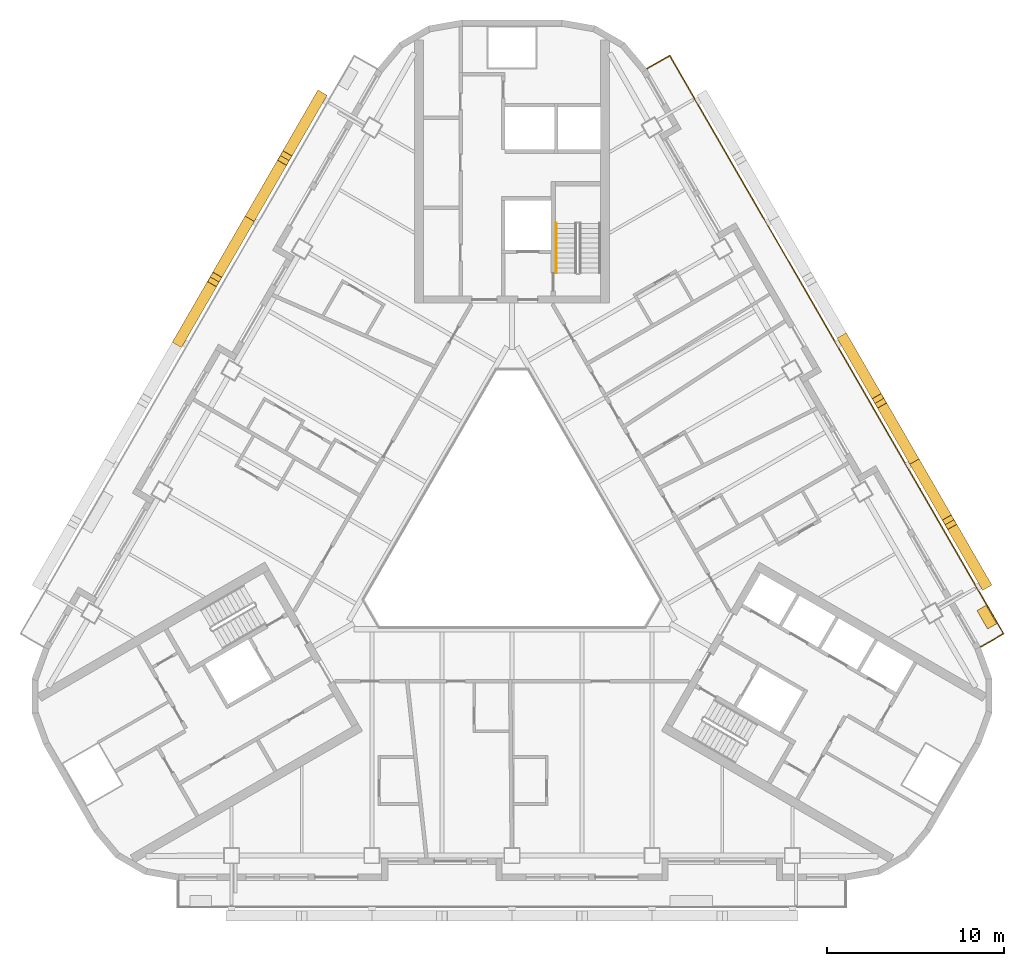
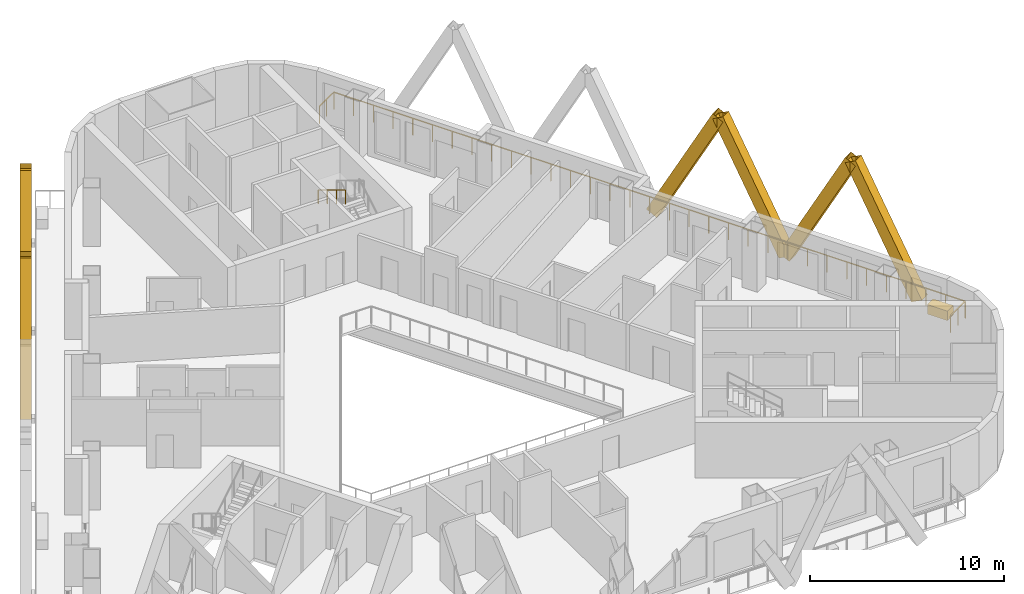
# One storey, part 13 of 14: 8 shading devices, 2 railings, 1 covering.
"""IFC4 building model written with IfcOpenShell, lengths in metres."""

from ifc_helpers import new_model, si_unit, direction, frame, origin, origin_2d, place, context, subcontext, project, spatial, rectangle, hollow_rectangle, circle, extrude, material, material_profile, profile_set, type_object, element, save


model = new_model("IFC4")

# Units and contexts
model_context = context("Model", 3, precision=1e-05, world=origin(), true_north=direction((0.0, 1.0)))
body_context = subcontext(model_context, "Body", "Model", "MODEL_VIEW")
ifc_project = project(units=[si_unit("LENGTHUNIT", "METRE"), si_unit("AREAUNIT", "SQUARE_METRE"), si_unit("VOLUMEUNIT", "CUBIC_METRE"), si_unit("PLANEANGLEUNIT", "RADIAN"), si_unit("MASSUNIT", "GRAM", prefix="KILO")], contexts=[model_context])

# Site, building, storey
site_placement = place(None, origin())
site = spatial("IfcSite", under=ifc_project, at=site_placement, CompositionType="ELEMENT")
building_placement = place(site_placement, origin())
building = spatial("IfcBuilding", under=site, at=building_placement, Name="Apuvela Tower Hotel", CompositionType="ELEMENT")
storey_placement = place(building_placement, frame((0.0, 0.0, 120.5)))
storey = spatial("IfcBuildingStorey", under=building, at=storey_placement, Name="L28", CompositionType="ELEMENT", Elevation=120.5)

# Railing
ifc_material_1 = material(Name="Stainless steel 316 handrail", Category="steel")
railing_type_1 = type_object("IfcRailingType", Name="COR-HANDRAIL-900", PredefinedType="HANDRAIL", material=ifc_material_1)
railing_1_placement = place(storey_placement, frame((2.5, 17.39990234375, 2.01806640625)))
element("IfcRailing", 1, at=railing_1_placement, inside=storey, type_object=railing_type_1, Name="L28 ST1 stair handrail 2", PredefinedType="HANDRAIL", context=body_context, shape_type="SweptSolid", body=[
    extrude(circle(Radius=0.02392578125, at=origin_2d()), frame((0.0, 0.0, 0.8759765625), z_axis=(0.0, -0.857222391501, 0.514946377315), x_axis=(1.0, 0.0, 0.0)), (0.0, 0.0, 1.0), 3.26611328125),
    extrude(rectangle(XDim=0.0419921875, YDim=0.0419921875, at=origin_2d()), origin(), (0.0, 0.0, 1.0), 0.851806640625),
    extrude(rectangle(XDim=0.0419921875, YDim=0.0419921875, at=origin_2d()), frame((0.0, -0.933349609375, 0.560546875)), (0.0, 0.0, 1.0), 0.851806640625),
    extrude(rectangle(XDim=0.0419921875, YDim=0.0419921875, at=origin_2d()), frame((0.0, -1.866455078125, 1.121337890625)), (0.0, 0.0, 1.0), 0.851806640625),
    extrude(rectangle(XDim=0.0419921875, YDim=0.0419921875, at=origin_2d()), frame((0.0, -2.7998046875, 1.681884765625)), (0.0, 0.0, 1.0), 0.851806640625),
])

# Shading devices
ifc_material_2 = material(Name="Aluminium 6063-T6, black anodised", Category="aluminium")
ifc_material_profile = material_profile(ifc_material_2, hollow_rectangle(XDim=0.60009765625, YDim=0.699951171875, WallThickness=0.011962890625, at=origin_2d()), Name="AL BOX 700x600x12")
ifc_profile_set = profile_set([ifc_material_profile], Name="Aluminium 6063-T6, black anodised")
shading_device_type = type_object("IfcShadingDeviceType", Name="ENV-FIN-700x600", PredefinedType="USERDEFINED", material=ifc_profile_set)
for number, where, z_axis, x_axis, name in (
    (2, (26.632080078125, -2.8681640625, -0.10009765625), (-0.235457834389, 0.407787356937, 0.88219560175), (-0.866005453737, -0.500034552904, 0.0), "Lattice fin NE225"),
    (3, (22.68212890625, 3.973388671875, -0.10009765625), (0.235427548578, -0.407814415956, 0.882191176281), (0.866047669374, 0.499961432884, 0.0), "Lattice fin NE226"),
    (4, (22.68212890625, 3.973388671875, -0.10009765625), (-0.235455039791, 0.407811621453, 0.882185131163), (-0.866020906874, -0.500007788796, 0.0), "Lattice fin NE227"),
):
    element("IfcShadingDevice", number, at=place(storey_placement, frame(where, z_axis=z_axis, x_axis=x_axis)), inside=storey, type_object=shading_device_type, Name=name, ObjectType="FIN", PredefinedType="USERDEFINED", context=body_context, shape_type="SweptSolid", body=[
        extrude(hollow_rectangle(XDim=0.60009765625, YDim=0.699951171875, WallThickness=0.011962890625, at=origin_2d()), origin(), (0.0, 0.0, 1.0), 8.388427734375),
    ])
shading_device_placement = place(storey_placement, frame((18.732177734375, 10.81494140625, -0.10009765625), z_axis=(0.235430342887, -0.407790151341, 0.882201647084), x_axis=(0.866032218625, 0.499988196164, 0.0)))
element("IfcShadingDevice", 5, at=shading_device_placement, inside=storey, type_object=shading_device_type, Name="Lattice fin NE228", ObjectType="FIN", PredefinedType="USERDEFINED", context=body_context, shape_type="SweptSolid", body=[
    extrude(hollow_rectangle(XDim=0.60009765625, YDim=0.699951171875, WallThickness=0.011962890625, at=origin_2d()), origin(), (0.0, 0.0, 1.0), 8.38818359375),
])
for number, where, z_axis, x_axis, name in (
    (6, (-10.83203125, 24.498291015625, -0.10009765625), (-0.235455039791, -0.407811621453, 0.882185131163), (0.866020906874, -0.500007788796, 0.0), "Lattice fin NW273"),
    (7, (-14.781982421875, 17.656494140625, -0.10009765625), (0.235427548578, 0.407814415956, 0.882191176281), (-0.866047669374, 0.499961432884, 0.0), "Lattice fin NW274"),
    (8, (-14.781982421875, 17.656494140625, -0.10009765625), (-0.235457834389, -0.407787356937, 0.88219560175), (0.866005453737, -0.500034552904, 0.0), "Lattice fin NW275"),
    (9, (-18.732177734375, 10.81494140625, -0.10009765625), (0.235455039791, 0.407811621453, 0.882185131163), (-0.866020906874, 0.500007788796, 0.0), "Lattice fin NW276"),
):
    element("IfcShadingDevice", number, at=place(storey_placement, frame(where, z_axis=z_axis, x_axis=x_axis)), inside=storey, type_object=shading_device_type, Name=name, ObjectType="FIN", PredefinedType="USERDEFINED", context=body_context, shape_type="SweptSolid", body=[
        extrude(hollow_rectangle(XDim=0.60009765625, YDim=0.699951171875, WallThickness=0.011962890625, at=origin_2d()), origin(), (0.0, 0.0, 1.0), 8.388427734375),
    ])

# Railing
ifc_material_3 = material(Name="Stainless steel 316 rail with laminated glass infill", Category="steel")
railing_type_2 = type_object("IfcRailingType", Name="ENV-GUARD-1100", PredefinedType="GUARDRAIL", material=ifc_material_3)
railing_2_placement = place(storey_placement, frame((26.407958984375, -6.47998046875, 0.0)))
element("IfcRailing", 10, at=railing_2_placement, inside=storey, type_object=railing_type_2, Name="Balcony guard NE L28", PredefinedType="GUARDRAIL", context=body_context, shape_type="SweptSolid", body=[
    extrude(rectangle(XDim=0.050048828125, YDim=0.050048828125, at=origin_2d()), frame((0.0, 0.0, 1.0751953125), z_axis=(0.866031096941, 0.499990139034, 0.0), x_axis=(-0.499990139034, 0.866031096941, 0.0)), (0.0, 0.0, 1.0), 1.5),
    extrude(rectangle(XDim=0.050048828125, YDim=0.050048828125, at=origin_2d()), frame((1.299072265625, 0.75, 1.0751953125), z_axis=(-0.500000437506, 0.86602515119, 0.0), x_axis=(-0.86602515119, -0.500000437506, 0.0)), (0.0, 0.0, 1.0), 37.6318359375),
    extrude(rectangle(XDim=0.050048828125, YDim=0.050048828125, at=origin_2d()), frame((-17.516845703125, 33.340087890625, 1.0751953125), z_axis=(-0.86599040064, -0.500060622324, 0.0), x_axis=(0.500060622324, -0.86599040064, 0.0)), (0.0, 0.0, 1.0), 1.499755859375),
    extrude(rectangle(XDim=0.0400390625, YDim=0.0400390625, at=origin_2d()), origin(), (0.0, 0.0, 1.0), 1.050048828125),
    extrude(rectangle(XDim=0.0400390625, YDim=0.0400390625, at=origin_2d()), frame((0.6494140625, 0.375, 0.0)), (0.0, 0.0, 1.0), 1.050048828125),
    extrude(rectangle(XDim=0.0400390625, YDim=0.0400390625, at=origin_2d()), frame((1.299072265625, 0.75, 0.0)), (0.0, 0.0, 1.0), 1.050048828125),
    extrude(rectangle(XDim=0.0400390625, YDim=0.0400390625, at=origin_2d()), frame((0.711181640625, 1.7685546875, 0.0)), (0.0, 0.0, 1.0), 1.050048828125),
    extrude(rectangle(XDim=0.0400390625, YDim=0.0400390625, at=origin_2d()), frame((0.123046875, 2.786865234375, 0.0)), (0.0, 0.0, 1.0), 1.050048828125),
    extrude(rectangle(XDim=0.0400390625, YDim=0.0400390625, at=origin_2d()), frame((-0.46484375, 3.805419921875, 0.0)), (0.0, 0.0, 1.0), 1.050048828125),
    extrude(rectangle(XDim=0.0400390625, YDim=0.0400390625, at=origin_2d()), frame((-1.052978515625, 4.82373046875, 0.0)), (0.0, 0.0, 1.0), 1.050048828125),
    extrude(rectangle(XDim=0.0400390625, YDim=0.0400390625, at=origin_2d()), frame((-1.640869140625, 5.84228515625, 0.0)), (0.0, 0.0, 1.0), 1.050048828125),
    extrude(rectangle(XDim=0.0400390625, YDim=0.0400390625, at=origin_2d()), frame((-2.22900390625, 6.860595703125, 0.0)), (0.0, 0.0, 1.0), 1.050048828125),
    extrude(rectangle(XDim=0.0400390625, YDim=0.0400390625, at=origin_2d()), frame((-2.81689453125, 7.879150390625, 0.0)), (0.0, 0.0, 1.0), 1.050048828125),
    extrude(rectangle(XDim=0.0400390625, YDim=0.0400390625, at=origin_2d()), frame((-3.40478515625, 8.8974609375, 0.0)), (0.0, 0.0, 1.0), 1.050048828125),
    extrude(rectangle(XDim=0.0400390625, YDim=0.0400390625, at=origin_2d()), frame((-3.992919921875, 9.916015625, 0.0)), (0.0, 0.0, 1.0), 1.050048828125),
    extrude(rectangle(XDim=0.0400390625, YDim=0.0400390625, at=origin_2d()), frame((-4.580810546875, 10.934326171875, 0.0)), (0.0, 0.0, 1.0), 1.050048828125),
    extrude(rectangle(XDim=0.0400390625, YDim=0.0400390625, at=origin_2d()), frame((-5.1689453125, 11.952880859375, 0.0)), (0.0, 0.0, 1.0), 1.050048828125),
    extrude(rectangle(XDim=0.0400390625, YDim=0.0400390625, at=origin_2d()), frame((-5.7568359375, 12.97119140625, 0.0)), (0.0, 0.0, 1.0), 1.050048828125),
    extrude(rectangle(XDim=0.0400390625, YDim=0.0400390625, at=origin_2d()), frame((-6.344970703125, 13.98974609375, 0.0)), (0.0, 0.0, 1.0), 1.050048828125),
    extrude(rectangle(XDim=0.0400390625, YDim=0.0400390625, at=origin_2d()), frame((-6.932861328125, 15.008056640625, 0.0)), (0.0, 0.0, 1.0), 1.050048828125),
    extrude(rectangle(XDim=0.0400390625, YDim=0.0400390625, at=origin_2d()), frame((-7.52099609375, 16.026611328125, 0.0)), (0.0, 0.0, 1.0), 1.050048828125),
    extrude(rectangle(XDim=0.0400390625, YDim=0.0400390625, at=origin_2d()), frame((-8.10888671875, 17.044921875, 0.0)), (0.0, 0.0, 1.0), 1.050048828125),
    extrude(rectangle(XDim=0.0400390625, YDim=0.0400390625, at=origin_2d()), frame((-8.69677734375, 18.0634765625, 0.0)), (0.0, 0.0, 1.0), 1.050048828125),
    extrude(rectangle(XDim=0.0400390625, YDim=0.0400390625, at=origin_2d()), frame((-9.284912109375, 19.08203125, 0.0)), (0.0, 0.0, 1.0), 1.050048828125),
    extrude(rectangle(XDim=0.0400390625, YDim=0.0400390625, at=origin_2d()), frame((-9.872802734375, 20.100341796875, 0.0)), (0.0, 0.0, 1.0), 1.050048828125),
    extrude(rectangle(XDim=0.0400390625, YDim=0.0400390625, at=origin_2d()), frame((-10.4609375, 21.118896484375, 0.0)), (0.0, 0.0, 1.0), 1.050048828125),
    extrude(rectangle(XDim=0.0400390625, YDim=0.0400390625, at=origin_2d()), frame((-11.048828125, 22.13720703125, 0.0)), (0.0, 0.0, 1.0), 1.050048828125),
    extrude(rectangle(XDim=0.0400390625, YDim=0.0400390625, at=origin_2d()), frame((-11.636962890625, 23.15576171875, 0.0)), (0.0, 0.0, 1.0), 1.050048828125),
    extrude(rectangle(XDim=0.0400390625, YDim=0.0400390625, at=origin_2d()), frame((-12.224853515625, 24.174072265625, 0.0)), (0.0, 0.0, 1.0), 1.050048828125),
    extrude(rectangle(XDim=0.0400390625, YDim=0.0400390625, at=origin_2d()), frame((-12.81298828125, 25.192626953125, 0.0)), (0.0, 0.0, 1.0), 1.050048828125),
    extrude(rectangle(XDim=0.0400390625, YDim=0.0400390625, at=origin_2d()), frame((-13.40087890625, 26.2109375, 0.0)), (0.0, 0.0, 1.0), 1.050048828125),
    extrude(rectangle(XDim=0.0400390625, YDim=0.0400390625, at=origin_2d()), frame((-13.98876953125, 27.2294921875, 0.0)), (0.0, 0.0, 1.0), 1.050048828125),
    extrude(rectangle(XDim=0.0400390625, YDim=0.0400390625, at=origin_2d()), frame((-14.576904296875, 28.247802734375, 0.0)), (0.0, 0.0, 1.0), 1.050048828125),
    extrude(rectangle(XDim=0.0400390625, YDim=0.0400390625, at=origin_2d()), frame((-15.164794921875, 29.266357421875, 0.0)), (0.0, 0.0, 1.0), 1.050048828125),
    extrude(rectangle(XDim=0.0400390625, YDim=0.0400390625, at=origin_2d()), frame((-15.7529296875, 30.28466796875, 0.0)), (0.0, 0.0, 1.0), 1.050048828125),
    extrude(rectangle(XDim=0.0400390625, YDim=0.0400390625, at=origin_2d()), frame((-16.3408203125, 31.30322265625, 0.0)), (0.0, 0.0, 1.0), 1.050048828125),
    extrude(rectangle(XDim=0.0400390625, YDim=0.0400390625, at=origin_2d()), frame((-16.928955078125, 32.321533203125, 0.0)), (0.0, 0.0, 1.0), 1.050048828125),
    extrude(rectangle(XDim=0.0400390625, YDim=0.0400390625, at=origin_2d()), frame((-17.516845703125, 33.340087890625, 0.0)), (0.0, 0.0, 1.0), 1.050048828125),
    extrude(rectangle(XDim=0.0400390625, YDim=0.0400390625, at=origin_2d()), frame((-18.166259765625, 32.965087890625, 0.0)), (0.0, 0.0, 1.0), 1.050048828125),
    extrude(rectangle(XDim=0.0400390625, YDim=0.0400390625, at=origin_2d()), frame((-18.815673828125, 32.590087890625, 0.0)), (0.0, 0.0, 1.0), 1.050048828125),
])

# Covering
ifc_material_4 = material(Name="Planting substrate and soil, planted")
covering_type = type_object("IfcCoveringType", Name="ENV-PLANTER-1200x600", PredefinedType="USERDEFINED", material=ifc_material_4)
covering_placement = place(storey_placement, frame((26.763916015625, -4.79638671875, 0.0), z_axis=(0.0, 0.0, 1.0), x_axis=(-0.5, 0.866025403784, 0.0)))
element("IfcCovering", 11, at=covering_placement, inside=storey, type_object=covering_type, Name="Planter NE3", ObjectType="PLANTER", PredefinedType="USERDEFINED", context=body_context, shape_type="SweptSolid", body=[
    extrude(rectangle(XDim=1.199951171875, YDim=0.60009765625, at=origin_2d()), origin(), (0.0, 0.0, 1.0), 0.60009765625),
])

save(model, "model.ifc")
